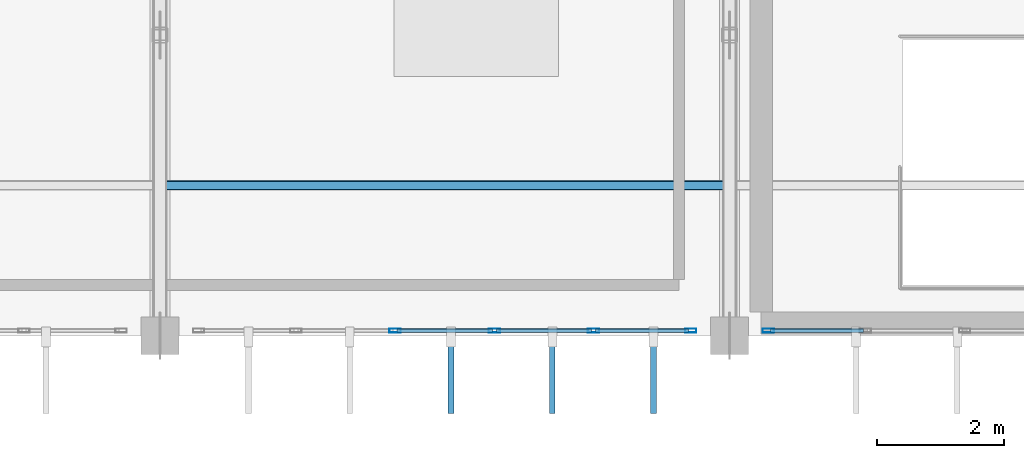
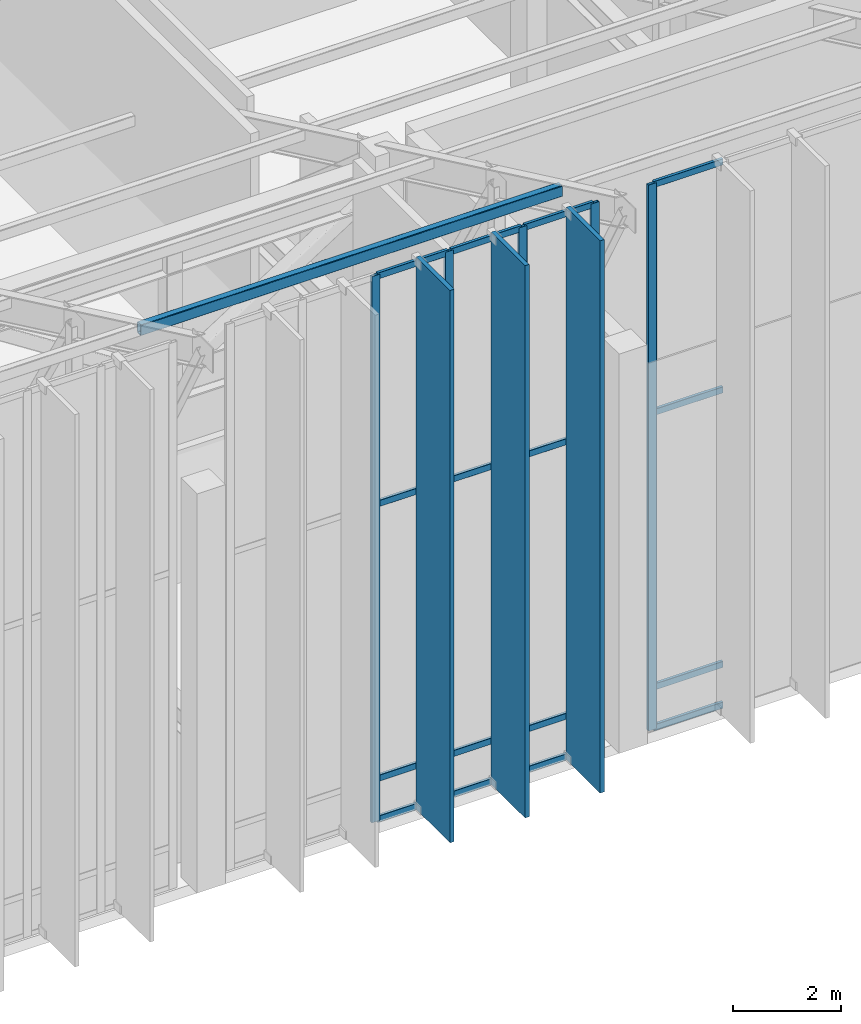
# One storey, part 14 of 68: 25 members, 2 elements without a shape of their own.
"""IFC4 building model written with IfcOpenShell, lengths in metres."""

import ifcopenshell
import ifcopenshell.guid

model = None  # the IFC model being written
_history = None  # IfcOwnerHistory: only IFC2X3 demands one
_inside = {}  # id of a spatial element -> (the spatial element, [elements in it])
_under = {}  # id of a project, library or spatial element -> (it, [spatial elements below it])
_declared = {}  # id of a project -> (the project, [libraries it declares])
_typed = {}  # id of a type object -> (the type object, [elements of that type])
_made_of = {}  # id of a material, layer set ... -> (it, [elements and type objects made of it])


def new_model(schema):
    """Start an empty IFC model of exactly this schema.

    Asked for "IFC4X3", IfcOpenShell would pick the latest addendum, in which some entities
    have other attributes; the version numbers below select the first issue.
    IFC2X3 requires an IfcOwnerHistory on every rooted entity: one is made here for all.
    """
    global model, _history
    if schema == "IFC4X3":
        model = ifcopenshell.file(schema_version=(4, 3, 0, 0))
    else:
        model = ifcopenshell.file(schema=schema)
    _inside.clear()
    _under.clear()
    _declared.clear()
    _typed.clear()
    _made_of.clear()
    _history = None
    if model.schema == "IFC2X3":
        org = make("IfcOrganization", Name="unknown")
        user = make(
            "IfcPersonAndOrganization",
            ThePerson=make("IfcPerson", FamilyName="unknown"),
            TheOrganization=org,
        )
        app = make(
            "IfcApplication",
            ApplicationDeveloper=org,
            Version="unknown",
            ApplicationFullName="unknown",
            ApplicationIdentifier="unknown",
        )
        _history = make(
            "IfcOwnerHistory",
            OwningUser=user,
            OwningApplication=app,
            ChangeAction="ADDED",
            CreationDate=0,
        )
    return model


def make(cls, **values):
    """One entity of the class cls with the attributes given. An attribute that is None is left unset."""
    return model.create_entity(
        cls, **{name: value for name, value in values.items() if value is not None}
    )


def rooted(cls, **values):
    """An entity with a GlobalId (a new one), such as an element, a storey or a relation."""
    return make(cls, GlobalId=ifcopenshell.guid.new(), OwnerHistory=_history, **values)


def si_unit(unit_type, name, prefix=None):
    """IfcSIUnit, for example si_unit("LENGTHUNIT", "METRE", prefix="MILLI")."""
    return make("IfcSIUnit", UnitType=unit_type, Prefix=prefix, Name=name)


def assignment(units):
    """IfcUnitAssignment: the units of a project."""
    return None if units is None else make("IfcUnitAssignment", Units=units)


def point(xyz):
    """IfcCartesianPoint."""
    return None if xyz is None else make("IfcCartesianPoint", Coordinates=xyz)


def direction(xyz):
    """IfcDirection."""
    return None if xyz is None else make("IfcDirection", DirectionRatios=xyz)


def frame(location, z_axis=None, x_axis=None):
    """IfcAxis2Placement3D, a coordinate frame: its origin and axes. An axis left out is left unset."""
    return make(
        "IfcAxis2Placement3D",
        Location=point(location),
        Axis=direction(z_axis),
        RefDirection=direction(x_axis),
    )


def frame_2d(location, x_axis=None):
    """IfcAxis2Placement2D, a coordinate frame in the plane: its origin and x axis."""
    return make(
        "IfcAxis2Placement2D", Location=point(location), RefDirection=direction(x_axis)
    )


def origin():
    """The frame at (0, 0, 0) with its axes left unset."""
    return frame((0.0, 0.0, 0.0))


def origin_2d():
    """The frame at (0, 0) in the plane with its x axis left unset."""
    return frame_2d((0.0, 0.0))


def place(relative_to, where):
    """IfcLocalPlacement: puts the frame where relative to a parent placement (None: the world)."""
    return make(
        "IfcLocalPlacement", PlacementRelTo=relative_to, RelativePlacement=where
    )


def context(
    kind, dimensions, precision=None, world=None, true_north=None, identifier=None
):
    """IfcGeometricRepresentationContext, for example the 3D "Model" context."""
    return make(
        "IfcGeometricRepresentationContext",
        ContextIdentifier=identifier,
        ContextType=kind,
        CoordinateSpaceDimension=dimensions,
        Precision=precision,
        WorldCoordinateSystem=world,
        TrueNorth=true_north,
    )


def subcontext(parent, identifier, kind, view, scale=None):
    """IfcGeometricRepresentationSubContext, for example "Body" below "Model"."""
    return make(
        "IfcGeometricRepresentationSubContext",
        ContextIdentifier=identifier,
        ContextType=kind,
        ParentContext=parent,
        TargetScale=scale,
        TargetView=view,
    )


def project(units=None, contexts=None):
    """IfcProject with its units and contexts."""
    return rooted(
        "IfcProject",
        Name="project",
        RepresentationContexts=contexts,
        UnitsInContext=assignment(units),
    )


def spatial(cls, under=None, at=None, **own):
    """A site, building, storey or space (cls), placed at a placement, below another one or the project."""
    s = rooted(cls, ObjectPlacement=at, **own)
    if under is not None:
        _under.setdefault(under.id(), (under, []))[1].append(s)
    return s


def profile(cls, at=None, kind="AREA", **sizes):
    """A parametric profile (cls). Its sizes go by their IFC names, for example OverallWidth=200.0."""
    return make(cls, ProfileType=kind, Position=at, **sizes)


def rectangle(**sizes):
    """IfcRectangleProfileDef."""
    return profile("IfcRectangleProfileDef", **sizes)


def hollow_rectangle(**sizes):
    """IfcRectangleHollowProfileDef."""
    return profile("IfcRectangleHollowProfileDef", **sizes)


def extrude(swept, where, along, depth):
    """IfcExtrudedAreaSolid: the profile swept, set in the frame where, extruded along a direction by depth."""
    return make(
        "IfcExtrudedAreaSolid",
        SweptArea=swept,
        Position=where,
        ExtrudedDirection=direction(along),
        Depth=depth,
    )


def shape(context_of_items, identifier, shape_type, items):
    """IfcShapeRepresentation: the items that make up one representation, for example the "Body"."""
    return make(
        "IfcShapeRepresentation",
        ContextOfItems=context_of_items,
        RepresentationIdentifier=identifier,
        RepresentationType=shape_type,
        Items=items,
    )


def material(Name=None, Category=None):
    """IfcMaterial."""
    return make("IfcMaterial", Name=Name, Category=Category)


def material_profile(
    of_material, cross_section, Name=None, Category=None, Priority=None
):
    """IfcMaterialProfile: a cross section and its material."""
    return make(
        "IfcMaterialProfile",
        Name=Name,
        Material=of_material,
        Profile=cross_section,
        Priority=Priority,
        Category=Category,
    )


def profile_set(profiles, Name=None, composite=None):
    """IfcMaterialProfileSet."""
    return make(
        "IfcMaterialProfileSet",
        Name=Name,
        MaterialProfiles=profiles,
        CompositeProfile=composite,
    )


def made_of(thing, what):
    """Note that an element or type object is made of a material, layer set ...; save() writes the relation."""
    if what is not None:
        _made_of.setdefault(what.id(), (what, []))[1].append(thing)
    return thing


def type_object(cls, material=None, **own):
    """A type object (cls), such as IfcWallType, which elements share."""
    return made_of(rooted(cls, **own), material)


def element(
    cls,
    number,
    at=None,
    inside=None,
    cuts=None,
    type_object=None,
    material=None,
    context=None,
    identifier="Body",
    shape_type=None,
    held_by="IfcProductDefinitionShape",
    body=None,
    shapes=None,
    **own,
):
    """One element of the class cls, such as IfcWall. Its Tag is "e" and its number.

    at: its placement. inside: the storey or other place that contains it. cuts: it is an
    opening in that element (IfcRelVoidsElement). A single representation is given by context,
    identifier, shape_type and body (its items); several are given by shapes. held_by: the class
    of the entity that holds the representations. save() writes the other relations.
    """
    e = rooted(cls, Tag="e%d" % number, ObjectPlacement=at, **own)
    if body is not None:
        shapes = [shape(context, identifier, shape_type, body)]
    if shapes is not None:
        e.Representation = make(held_by, Representations=shapes)
    if inside is not None:
        _inside.setdefault(inside.id(), (inside, []))[1].append(e)
    if cuts is not None:
        rooted(
            "IfcRelVoidsElement", RelatingBuildingElement=cuts, RelatedOpeningElement=e
        )
    if type_object is not None:
        _typed.setdefault(type_object.id(), (type_object, []))[1].append(e)
    return made_of(e, material)


def aggregate(whole, parts):
    """IfcRelAggregates: a whole, such as a stair, and the parts it consists of."""
    return rooted("IfcRelAggregates", RelatingObject=whole, RelatedObjects=parts)


def save(model, path):
    """Write the relations noted so far, then the file.

    IfcRelAggregates (storeys below a building ...), IfcRelContainedInSpatialStructure (elements
    in a storey), IfcRelDefinesByType, IfcRelAssociatesMaterial and IfcRelDeclares: one each for
    every whole, place, type object, material and project.
    """
    for whole, parts in _under.values():
        aggregate(whole, parts)
    for where, things in _inside.values():
        rooted(
            "IfcRelContainedInSpatialStructure",
            RelatedElements=things,
            RelatingStructure=where,
        )
    for kind, things in _typed.values():
        rooted("IfcRelDefinesByType", RelatedObjects=things, RelatingType=kind)
    for what, things in _made_of.values():
        rooted("IfcRelAssociatesMaterial", RelatedObjects=things, RelatingMaterial=what)
    for by, libraries in _declared.values():
        rooted("IfcRelDeclares", RelatingContext=by, RelatedDefinitions=libraries)
    model.write(path)


model = new_model("IFC4")

# Units and contexts
model_context = context("Model", 3, precision=1e-05, world=origin(), true_north=direction((0.0, 1.0)))
body_context = subcontext(model_context, "Body", "Model", "MODEL_VIEW")
ifc_project = project(units=[si_unit("LENGTHUNIT", "METRE"), si_unit("AREAUNIT", "SQUARE_METRE"), si_unit("VOLUMEUNIT", "CUBIC_METRE"), si_unit("PLANEANGLEUNIT", "RADIAN"), si_unit("MASSUNIT", "GRAM", prefix="KILO")], contexts=[model_context])

# Site, building, storey
site_placement = place(None, origin())
site = spatial("IfcSite", under=ifc_project, at=site_placement, CompositionType="ELEMENT")
building_placement = place(site_placement, origin())
building = spatial("IfcBuilding", under=site, at=building_placement, Name="Miravela Opera House", CompositionType="ELEMENT")
storey_placement = place(building_placement, frame((0.0, 0.0, 21.760009765625)))
storey = spatial("IfcBuildingStorey", under=building, at=storey_placement, Name="L05", CompositionType="ELEMENT", Elevation=21.760009765625)

# Curtain wall, members
ifc_material_1 = material(Name="Anodised architectural bronze aluminium 6063-T6", Category="aluminium")
curtain_wall_type = type_object("IfcCurtainWallType", Name="ARC-CW-03", PredefinedType="NOTDEFINED", material=ifc_material_1)
curtain_wall_1_placement = place(storey_placement, origin())
curtain_wall_1 = element("IfcCurtainWall", 1, at=curtain_wall_1_placement, inside=storey, type_object=curtain_wall_type, Name="Auditorium South Wrapper Glazing CW-L05-062", PredefinedType="NOTDEFINED")
ifc_material_profile_1 = material_profile(ifc_material_1, hollow_rectangle(XDim=0.06494140625, YDim=0.179931640625, WallThickness=0.00390625, InnerFilletRadius=0.001953125, OuterFilletRadius=0.00390625, at=origin_2d()), Name="CWM-65X180")
ifc_profile_set_1 = profile_set([ifc_material_profile_1])
member_type_1 = type_object("IfcMemberType", Name="ARC-CWM-180", PredefinedType="MULLION", material=ifc_profile_set_1)
member_1_placement = place(storey_placement, frame((39.716064453125, 37.080078125, 0.0), z_axis=(0.0, 0.0, 1.0), x_axis=(0.0, 1.0, 0.0)))
member_1 = element("IfcMember", 2, at=member_1_placement, type_object=member_type_1, Name="CW-03 mullion 3", PredefinedType="MULLION", context=body_context, shape_type="SweptSolid", body=[
    extrude(hollow_rectangle(XDim=0.06494140625, YDim=0.179931640625, WallThickness=0.00390625, InnerFilletRadius=0.001953125, OuterFilletRadius=0.00390625, at=origin_2d()), origin(), (0.0, 0.0, 1.0), 12.31005859375),
])
member_2_placement = place(storey_placement, frame((41.283935546875, 37.080078125, 0.0), z_axis=(0.0, 0.0, 1.0), x_axis=(0.0, 1.0, 0.0)))
member_2 = element("IfcMember", 3, at=member_2_placement, type_object=member_type_1, Name="CW-03 mullion 4", PredefinedType="MULLION", context=body_context, shape_type="SweptSolid", body=[
    extrude(hollow_rectangle(XDim=0.06494140625, YDim=0.179931640625, WallThickness=0.00390625, InnerFilletRadius=0.001953125, OuterFilletRadius=0.00390625, at=origin_2d()), origin(), (0.0, 0.0, 1.0), 12.31005859375),
])
member_3_placement = place(storey_placement, frame((42.85205078125, 37.080078125, 0.0), z_axis=(0.0, 0.0, 1.0), x_axis=(0.0, 1.0, 0.0)))
member_3 = element("IfcMember", 4, at=member_3_placement, type_object=member_type_1, Name="CW-03 mullion 5", PredefinedType="MULLION", context=body_context, shape_type="SweptSolid", body=[
    extrude(hollow_rectangle(XDim=0.06494140625, YDim=0.179931640625, WallThickness=0.00390625, InnerFilletRadius=0.001953125, OuterFilletRadius=0.00390625, at=origin_2d()), origin(), (0.0, 0.0, 1.0), 12.31005859375),
])
member_4_placement = place(storey_placement, frame((44.387451171875, 37.080078125, 0.0), z_axis=(0.0, 0.0, 1.0), x_axis=(0.0, 1.0, 0.0)))
member_4 = element("IfcMember", 5, at=member_4_placement, type_object=member_type_1, Name="CW-03 mullion 6", PredefinedType="MULLION", context=body_context, shape_type="SweptSolid", body=[
    extrude(hollow_rectangle(XDim=0.06494140625, YDim=0.179931640625, WallThickness=0.00390625, InnerFilletRadius=0.001953125, OuterFilletRadius=0.00390625, at=origin_2d()), origin(), (0.0, 0.0, 1.0), 12.31005859375),
])

# Curtain wall, member
curtain_wall_2_placement = place(storey_placement, origin())
curtain_wall_2 = element("IfcCurtainWall", 6, at=curtain_wall_2_placement, inside=storey, type_object=curtain_wall_type, Name="Auditorium South Wrapper Glazing CW-L05-064", PredefinedType="NOTDEFINED")
member_5_placement = place(storey_placement, frame((45.612548828125, 37.080078125, 0.0), z_axis=(0.0, 0.0, 1.0), x_axis=(0.0, 1.0, 0.0)))
member_5 = element("IfcMember", 7, at=member_5_placement, type_object=member_type_1, Name="CW-03 mullion 1", PredefinedType="MULLION", context=body_context, shape_type="SweptSolid", body=[
    extrude(hollow_rectangle(XDim=0.06494140625, YDim=0.179931640625, WallThickness=0.00390625, InnerFilletRadius=0.001953125, OuterFilletRadius=0.00390625, at=origin_2d()), origin(), (0.0, 0.0, 1.0), 12.31005859375),
])

# Member
ifc_material_profile_2 = material_profile(ifc_material_1, hollow_rectangle(XDim=0.06494140625, YDim=0.139892578125, WallThickness=0.00390625, InnerFilletRadius=0.001953125, OuterFilletRadius=0.00390625, at=origin_2d()), Name="CWT-65X140")
ifc_profile_set_2 = profile_set([ifc_material_profile_2])
member_type_2 = type_object("IfcMemberType", Name="ARC-CWT-140", PredefinedType="USERDEFINED", material=ifc_profile_set_2)
member_6_placement = place(storey_placement, frame((39.74853515625, 37.080078125, 0.032470703125), z_axis=(1.0, 0.0, 0.0), x_axis=(0.0, 1.0, 0.0)))
member_6 = element("IfcMember", 8, at=member_6_placement, type_object=member_type_2, Name="CW-03 transom 3.1", ObjectType="TRANSOM", PredefinedType="USERDEFINED", context=body_context, shape_type="SweptSolid", body=[
    extrude(hollow_rectangle(XDim=0.06494140625, YDim=0.139892578125, WallThickness=0.00390625, InnerFilletRadius=0.001953125, OuterFilletRadius=0.00390625, at=origin_2d()), origin(), (0.0, 0.0, 1.0), 1.5029296875),
])

member_7_placement = place(storey_placement, frame((39.74853515625, 37.080078125, 0.949951171875), z_axis=(1.0, 0.0, 0.0), x_axis=(0.0, 1.0, 0.0)))
member_7 = element("IfcMember", 9, at=member_7_placement, type_object=member_type_2, Name="CW-03 transom 3.2", ObjectType="TRANSOM", PredefinedType="USERDEFINED", context=body_context, shape_type="SweptSolid", body=[
    extrude(hollow_rectangle(XDim=0.06494140625, YDim=0.139892578125, WallThickness=0.00390625, InnerFilletRadius=0.001953125, OuterFilletRadius=0.00390625, at=origin_2d()), origin(), (0.0, 0.0, 1.0), 1.5029296875),
])

member_8_placement = place(storey_placement, frame((39.74853515625, 37.080078125, 7.139892578125), z_axis=(1.0, 0.0, 0.0), x_axis=(0.0, 1.0, 0.0)))
member_8 = element("IfcMember", 10, at=member_8_placement, type_object=member_type_2, Name="CW-03 transom 3.3", ObjectType="TRANSOM", PredefinedType="USERDEFINED", context=body_context, shape_type="SweptSolid", body=[
    extrude(hollow_rectangle(XDim=0.06494140625, YDim=0.139892578125, WallThickness=0.00390625, InnerFilletRadius=0.001953125, OuterFilletRadius=0.00390625, at=origin_2d()), origin(), (0.0, 0.0, 1.0), 1.5029296875),
])

member_9_placement = place(storey_placement, frame((39.74853515625, 37.080078125, 12.277587890625), z_axis=(1.0, 0.0, 0.0), x_axis=(0.0, 1.0, 0.0)))
member_9 = element("IfcMember", 11, at=member_9_placement, type_object=member_type_2, Name="CW-03 transom 3.4", ObjectType="TRANSOM", PredefinedType="USERDEFINED", context=body_context, shape_type="SweptSolid", body=[
    extrude(hollow_rectangle(XDim=0.06494140625, YDim=0.139892578125, WallThickness=0.00390625, InnerFilletRadius=0.001953125, OuterFilletRadius=0.00390625, at=origin_2d()), origin(), (0.0, 0.0, 1.0), 1.5029296875),
])

member_10_placement = place(storey_placement, frame((41.31640625, 37.080078125, 0.032470703125), z_axis=(1.0, 0.0, 0.0), x_axis=(0.0, 1.0, 0.0)))
member_10 = element("IfcMember", 12, at=member_10_placement, type_object=member_type_2, Name="CW-03 transom 4.1", ObjectType="TRANSOM", PredefinedType="USERDEFINED", context=body_context, shape_type="SweptSolid", body=[
    extrude(hollow_rectangle(XDim=0.06494140625, YDim=0.139892578125, WallThickness=0.00390625, InnerFilletRadius=0.001953125, OuterFilletRadius=0.00390625, at=origin_2d()), origin(), (0.0, 0.0, 1.0), 1.503173828125),
])

member_11_placement = place(storey_placement, frame((41.31640625, 37.080078125, 0.949951171875), z_axis=(1.0, 0.0, 0.0), x_axis=(0.0, 1.0, 0.0)))
member_11 = element("IfcMember", 13, at=member_11_placement, type_object=member_type_2, Name="CW-03 transom 4.2", ObjectType="TRANSOM", PredefinedType="USERDEFINED", context=body_context, shape_type="SweptSolid", body=[
    extrude(hollow_rectangle(XDim=0.06494140625, YDim=0.139892578125, WallThickness=0.00390625, InnerFilletRadius=0.001953125, OuterFilletRadius=0.00390625, at=origin_2d()), origin(), (0.0, 0.0, 1.0), 1.503173828125),
])

member_12_placement = place(storey_placement, frame((41.31640625, 37.080078125, 7.139892578125), z_axis=(1.0, 0.0, 0.0), x_axis=(0.0, 1.0, 0.0)))
member_12 = element("IfcMember", 14, at=member_12_placement, type_object=member_type_2, Name="CW-03 transom 4.3", ObjectType="TRANSOM", PredefinedType="USERDEFINED", context=body_context, shape_type="SweptSolid", body=[
    extrude(hollow_rectangle(XDim=0.06494140625, YDim=0.139892578125, WallThickness=0.00390625, InnerFilletRadius=0.001953125, OuterFilletRadius=0.00390625, at=origin_2d()), origin(), (0.0, 0.0, 1.0), 1.503173828125),
])

member_13_placement = place(storey_placement, frame((41.31640625, 37.080078125, 12.277587890625), z_axis=(1.0, 0.0, 0.0), x_axis=(0.0, 1.0, 0.0)))
member_13 = element("IfcMember", 15, at=member_13_placement, type_object=member_type_2, Name="CW-03 transom 4.4", ObjectType="TRANSOM", PredefinedType="USERDEFINED", context=body_context, shape_type="SweptSolid", body=[
    extrude(hollow_rectangle(XDim=0.06494140625, YDim=0.139892578125, WallThickness=0.00390625, InnerFilletRadius=0.001953125, OuterFilletRadius=0.00390625, at=origin_2d()), origin(), (0.0, 0.0, 1.0), 1.503173828125),
])

member_14_placement = place(storey_placement, frame((42.884521484375, 37.080078125, 0.032470703125), z_axis=(1.0, 0.0, 0.0), x_axis=(0.0, 1.0, 0.0)))
member_14 = element("IfcMember", 16, at=member_14_placement, type_object=member_type_2, Name="CW-03 transom 5.1", ObjectType="TRANSOM", PredefinedType="USERDEFINED", context=body_context, shape_type="SweptSolid", body=[
    extrude(hollow_rectangle(XDim=0.06494140625, YDim=0.139892578125, WallThickness=0.00390625, InnerFilletRadius=0.001953125, OuterFilletRadius=0.00390625, at=origin_2d()), origin(), (0.0, 0.0, 1.0), 1.470458984375),
])

member_15_placement = place(storey_placement, frame((42.884521484375, 37.080078125, 0.949951171875), z_axis=(1.0, 0.0, 0.0), x_axis=(0.0, 1.0, 0.0)))
member_15 = element("IfcMember", 17, at=member_15_placement, type_object=member_type_2, Name="CW-03 transom 5.2", ObjectType="TRANSOM", PredefinedType="USERDEFINED", context=body_context, shape_type="SweptSolid", body=[
    extrude(hollow_rectangle(XDim=0.06494140625, YDim=0.139892578125, WallThickness=0.00390625, InnerFilletRadius=0.001953125, OuterFilletRadius=0.00390625, at=origin_2d()), origin(), (0.0, 0.0, 1.0), 1.470458984375),
])

member_16_placement = place(storey_placement, frame((42.884521484375, 37.080078125, 7.139892578125), z_axis=(1.0, 0.0, 0.0), x_axis=(0.0, 1.0, 0.0)))
member_16 = element("IfcMember", 18, at=member_16_placement, type_object=member_type_2, Name="CW-03 transom 5.3", ObjectType="TRANSOM", PredefinedType="USERDEFINED", context=body_context, shape_type="SweptSolid", body=[
    extrude(hollow_rectangle(XDim=0.06494140625, YDim=0.139892578125, WallThickness=0.00390625, InnerFilletRadius=0.001953125, OuterFilletRadius=0.00390625, at=origin_2d()), origin(), (0.0, 0.0, 1.0), 1.470458984375),
])

member_17_placement = place(storey_placement, frame((42.884521484375, 37.080078125, 12.277587890625), z_axis=(1.0, 0.0, 0.0), x_axis=(0.0, 1.0, 0.0)))
member_17 = element("IfcMember", 19, at=member_17_placement, type_object=member_type_2, Name="CW-03 transom 5.4", ObjectType="TRANSOM", PredefinedType="USERDEFINED", context=body_context, shape_type="SweptSolid", body=[
    extrude(hollow_rectangle(XDim=0.06494140625, YDim=0.139892578125, WallThickness=0.00390625, InnerFilletRadius=0.001953125, OuterFilletRadius=0.00390625, at=origin_2d()), origin(), (0.0, 0.0, 1.0), 1.470458984375),
])

aggregate(curtain_wall_1, [member_1, member_2, member_3, member_4, member_6, member_7, member_8, member_9, member_10, member_11, member_12, member_13, member_14, member_15, member_16, member_17])

member_18_placement = place(storey_placement, frame((45.64501953125, 37.080078125, 0.032470703125), z_axis=(1.0, 0.0, 0.0), x_axis=(0.0, 1.0, 0.0)))
member_18 = element("IfcMember", 20, at=member_18_placement, type_object=member_type_2, Name="CW-03 transom 1.1", ObjectType="TRANSOM", PredefinedType="USERDEFINED", context=body_context, shape_type="SweptSolid", body=[
    extrude(hollow_rectangle(XDim=0.06494140625, YDim=0.139892578125, WallThickness=0.00390625, InnerFilletRadius=0.001953125, OuterFilletRadius=0.00390625, at=origin_2d()), origin(), (0.0, 0.0, 1.0), 1.470458984375),
])

member_19_placement = place(storey_placement, frame((45.64501953125, 37.080078125, 0.949951171875), z_axis=(1.0, 0.0, 0.0), x_axis=(0.0, 1.0, 0.0)))
member_19 = element("IfcMember", 21, at=member_19_placement, type_object=member_type_2, Name="CW-03 transom 1.2", ObjectType="TRANSOM", PredefinedType="USERDEFINED", context=body_context, shape_type="SweptSolid", body=[
    extrude(hollow_rectangle(XDim=0.06494140625, YDim=0.139892578125, WallThickness=0.00390625, InnerFilletRadius=0.001953125, OuterFilletRadius=0.00390625, at=origin_2d()), origin(), (0.0, 0.0, 1.0), 1.470458984375),
])

member_20_placement = place(storey_placement, frame((45.64501953125, 37.080078125, 7.139892578125), z_axis=(1.0, 0.0, 0.0), x_axis=(0.0, 1.0, 0.0)))
member_20 = element("IfcMember", 22, at=member_20_placement, type_object=member_type_2, Name="CW-03 transom 1.3", ObjectType="TRANSOM", PredefinedType="USERDEFINED", context=body_context, shape_type="SweptSolid", body=[
    extrude(hollow_rectangle(XDim=0.06494140625, YDim=0.139892578125, WallThickness=0.00390625, InnerFilletRadius=0.001953125, OuterFilletRadius=0.00390625, at=origin_2d()), origin(), (0.0, 0.0, 1.0), 1.470458984375),
])

member_21_placement = place(storey_placement, frame((45.64501953125, 37.080078125, 12.277587890625), z_axis=(1.0, 0.0, 0.0), x_axis=(0.0, 1.0, 0.0)))
member_21 = element("IfcMember", 23, at=member_21_placement, type_object=member_type_2, Name="CW-03 transom 1.4", ObjectType="TRANSOM", PredefinedType="USERDEFINED", context=body_context, shape_type="SweptSolid", body=[
    extrude(hollow_rectangle(XDim=0.06494140625, YDim=0.139892578125, WallThickness=0.00390625, InnerFilletRadius=0.001953125, OuterFilletRadius=0.00390625, at=origin_2d()), origin(), (0.0, 0.0, 1.0), 1.470458984375),
])

aggregate(curtain_wall_2, [member_5, member_18, member_19, member_20, member_21])

# Members
ifc_material_profile_3 = material_profile(ifc_material_1, rectangle(XDim=0.090087890625, YDim=1.25, at=origin_2d()), Name="FIN-1250X90")
ifc_profile_set_3 = profile_set([ifc_material_profile_3])
member_type_3 = type_object("IfcMemberType", Name="ARC-FIN-1250", PredefinedType="USERDEFINED", material=ifc_profile_set_3)
for number, where, z_axis, x_axis, name in (
    (24, (40.60009765625, 36.39501953125, 0.0), (0.0, 0.0, 1.0), (1.0, 0.0, 0.0), "Auditorium Wrapper Bronze Solar Fin FIN-L05-SOUTH-0192"),
    (25, (42.199951171875, 36.39501953125, 0.0), (0.0, 0.0, 1.0), (1.0, 0.0, 0.0), "Auditorium Wrapper Bronze Solar Fin FIN-L05-SOUTH-0194"),
    (26, (43.800048828125, 36.39501953125, 0.0), (0.0, 0.0, 1.0), (1.0, 0.0, 0.0), "Auditorium Wrapper Bronze Solar Fin FIN-L05-SOUTH-0196"),
):
    element("IfcMember", number, at=place(storey_placement, frame(where, z_axis=z_axis, x_axis=x_axis)), inside=storey, type_object=member_type_3, Name=name, ObjectType="FIN", PredefinedType="USERDEFINED", context=body_context, shape_type="SweptSolid", body=[
        extrude(rectangle(XDim=0.090087890625, YDim=1.25, at=origin_2d()), origin(), (0.0, 0.0, 1.0), 12.449951171875),
    ])
ifc_material_2 = material(Name="Hollow structural steel ASTM A500 Gr. C", Category="steel")
ifc_material_profile_4 = material_profile(ifc_material_2, hollow_rectangle(XDim=0.14990234375, YDim=0.25, WallThickness=0.011962890625, InnerFilletRadius=0.011962890625, OuterFilletRadius=0.02392578125, at=origin_2d()), Name="HSS250X150X12")
ifc_profile_set_4 = profile_set([ifc_material_profile_4])
member_type_4 = type_object("IfcMemberType", Name="STR-MEM-PURLIN-1", PredefinedType="PURLIN", material=ifc_profile_set_4)
member_22_placement = place(storey_placement, frame((36.010009765625, 39.375, 10.994873046875), z_axis=(1.0, 0.0, 0.0), x_axis=(0.0, 1.0, 0.0)))
element("IfcMember", 27, at=member_22_placement, inside=storey, type_object=member_type_4, Name="V-Roof Steel Purlin B1.3", PredefinedType="PURLIN", context=body_context, shape_type="SweptSolid", body=[
    extrude(hollow_rectangle(XDim=0.14990234375, YDim=0.25, WallThickness=0.011962890625, InnerFilletRadius=0.011962890625, OuterFilletRadius=0.02392578125, at=origin_2d()), origin(), (0.0, 0.0, 1.0), 8.97998046875),
])

save(model, "model.ifc")
